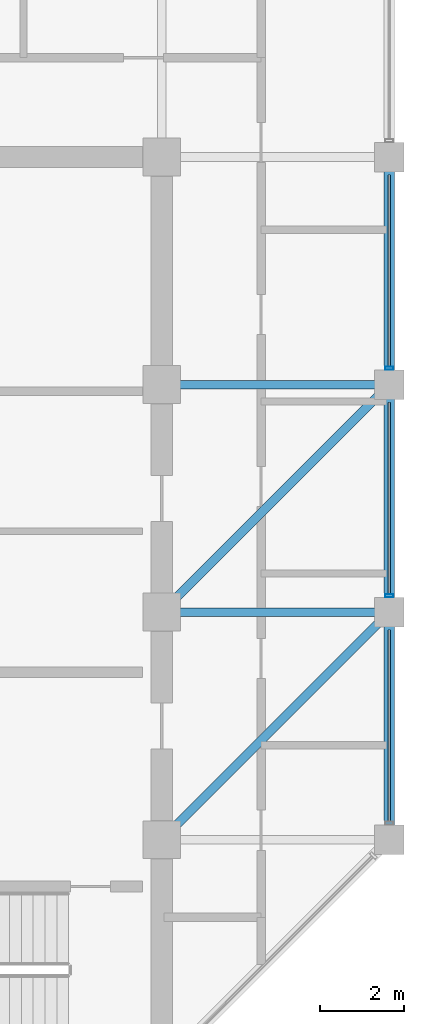
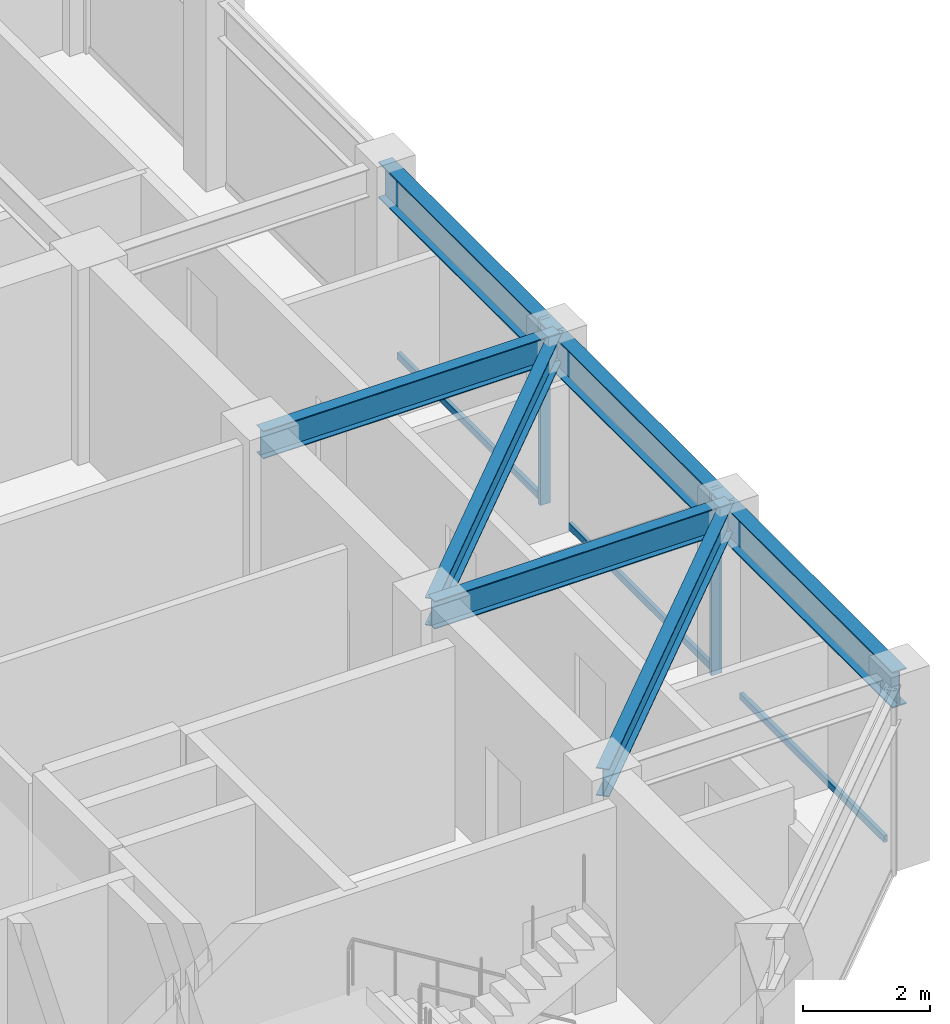
# One storey, part 13 of 31: 7 beams, 5 members, 1 element without a shape of its own.
"""IFC4 building model written with IfcOpenShell, lengths in metres."""

import ifcopenshell
import ifcopenshell.guid

model = None  # the IFC model being written
_history = None  # IfcOwnerHistory: only IFC2X3 demands one
_inside = {}  # id of a spatial element -> (the spatial element, [elements in it])
_under = {}  # id of a project, library or spatial element -> (it, [spatial elements below it])
_declared = {}  # id of a project -> (the project, [libraries it declares])
_typed = {}  # id of a type object -> (the type object, [elements of that type])
_made_of = {}  # id of a material, layer set ... -> (it, [elements and type objects made of it])


def new_model(schema):
    """Start an empty IFC model of exactly this schema.

    Asked for "IFC4X3", IfcOpenShell would pick the latest addendum, in which some entities
    have other attributes; the version numbers below select the first issue.
    IFC2X3 requires an IfcOwnerHistory on every rooted entity: one is made here for all.
    """
    global model, _history
    if schema == "IFC4X3":
        model = ifcopenshell.file(schema_version=(4, 3, 0, 0))
    else:
        model = ifcopenshell.file(schema=schema)
    _inside.clear()
    _under.clear()
    _declared.clear()
    _typed.clear()
    _made_of.clear()
    _history = None
    if model.schema == "IFC2X3":
        org = make("IfcOrganization", Name="unknown")
        user = make(
            "IfcPersonAndOrganization",
            ThePerson=make("IfcPerson", FamilyName="unknown"),
            TheOrganization=org,
        )
        app = make(
            "IfcApplication",
            ApplicationDeveloper=org,
            Version="unknown",
            ApplicationFullName="unknown",
            ApplicationIdentifier="unknown",
        )
        _history = make(
            "IfcOwnerHistory",
            OwningUser=user,
            OwningApplication=app,
            ChangeAction="ADDED",
            CreationDate=0,
        )
    return model


def make(cls, **values):
    """One entity of the class cls with the attributes given. An attribute that is None is left unset."""
    return model.create_entity(
        cls, **{name: value for name, value in values.items() if value is not None}
    )


def rooted(cls, **values):
    """An entity with a GlobalId (a new one), such as an element, a storey or a relation."""
    return make(cls, GlobalId=ifcopenshell.guid.new(), OwnerHistory=_history, **values)


def si_unit(unit_type, name, prefix=None):
    """IfcSIUnit, for example si_unit("LENGTHUNIT", "METRE", prefix="MILLI")."""
    return make("IfcSIUnit", UnitType=unit_type, Prefix=prefix, Name=name)


def assignment(units):
    """IfcUnitAssignment: the units of a project."""
    return None if units is None else make("IfcUnitAssignment", Units=units)


def point(xyz):
    """IfcCartesianPoint."""
    return None if xyz is None else make("IfcCartesianPoint", Coordinates=xyz)


def direction(xyz):
    """IfcDirection."""
    return None if xyz is None else make("IfcDirection", DirectionRatios=xyz)


def frame(location, z_axis=None, x_axis=None):
    """IfcAxis2Placement3D, a coordinate frame: its origin and axes. An axis left out is left unset."""
    return make(
        "IfcAxis2Placement3D",
        Location=point(location),
        Axis=direction(z_axis),
        RefDirection=direction(x_axis),
    )


def frame_2d(location, x_axis=None):
    """IfcAxis2Placement2D, a coordinate frame in the plane: its origin and x axis."""
    return make(
        "IfcAxis2Placement2D", Location=point(location), RefDirection=direction(x_axis)
    )


def origin():
    """The frame at (0, 0, 0) with its axes left unset."""
    return frame((0.0, 0.0, 0.0))


def origin_2d():
    """The frame at (0, 0) in the plane with its x axis left unset."""
    return frame_2d((0.0, 0.0))


def place(relative_to, where):
    """IfcLocalPlacement: puts the frame where relative to a parent placement (None: the world)."""
    return make(
        "IfcLocalPlacement", PlacementRelTo=relative_to, RelativePlacement=where
    )


def context(
    kind, dimensions, precision=None, world=None, true_north=None, identifier=None
):
    """IfcGeometricRepresentationContext, for example the 3D "Model" context."""
    return make(
        "IfcGeometricRepresentationContext",
        ContextIdentifier=identifier,
        ContextType=kind,
        CoordinateSpaceDimension=dimensions,
        Precision=precision,
        WorldCoordinateSystem=world,
        TrueNorth=true_north,
    )


def subcontext(parent, identifier, kind, view, scale=None):
    """IfcGeometricRepresentationSubContext, for example "Body" below "Model"."""
    return make(
        "IfcGeometricRepresentationSubContext",
        ContextIdentifier=identifier,
        ContextType=kind,
        ParentContext=parent,
        TargetScale=scale,
        TargetView=view,
    )


def project(units=None, contexts=None):
    """IfcProject with its units and contexts."""
    return rooted(
        "IfcProject",
        Name="project",
        RepresentationContexts=contexts,
        UnitsInContext=assignment(units),
    )


def spatial(cls, under=None, at=None, **own):
    """A site, building, storey or space (cls), placed at a placement, below another one or the project."""
    s = rooted(cls, ObjectPlacement=at, **own)
    if under is not None:
        _under.setdefault(under.id(), (under, []))[1].append(s)
    return s


def profile(cls, at=None, kind="AREA", **sizes):
    """A parametric profile (cls). Its sizes go by their IFC names, for example OverallWidth=200.0."""
    return make(cls, ProfileType=kind, Position=at, **sizes)


def hollow_rectangle(**sizes):
    """IfcRectangleHollowProfileDef."""
    return profile("IfcRectangleHollowProfileDef", **sizes)


def i_section(**sizes):
    """IfcIShapeProfileDef."""
    return profile("IfcIShapeProfileDef", **sizes)


def extrude(swept, where, along, depth):
    """IfcExtrudedAreaSolid: the profile swept, set in the frame where, extruded along a direction by depth."""
    return make(
        "IfcExtrudedAreaSolid",
        SweptArea=swept,
        Position=where,
        ExtrudedDirection=direction(along),
        Depth=depth,
    )


def shape(context_of_items, identifier, shape_type, items):
    """IfcShapeRepresentation: the items that make up one representation, for example the "Body"."""
    return make(
        "IfcShapeRepresentation",
        ContextOfItems=context_of_items,
        RepresentationIdentifier=identifier,
        RepresentationType=shape_type,
        Items=items,
    )


def material(Name=None, Category=None):
    """IfcMaterial."""
    return make("IfcMaterial", Name=Name, Category=Category)


def layer(
    of_material, thickness, ventilated=None, Name=None, Category=None, Priority=None
):
    """IfcMaterialLayer: one layer of a wall or slab, of a material (None: an air gap)."""
    return make(
        "IfcMaterialLayer",
        Material=of_material,
        LayerThickness=thickness,
        IsVentilated=ventilated,
        Name=Name,
        Category=Category,
        Priority=Priority,
    )


def layer_set(layers, Name=None):
    """IfcMaterialLayerSet."""
    return make("IfcMaterialLayerSet", MaterialLayers=layers, LayerSetName=Name)


def material_profile(
    of_material, cross_section, Name=None, Category=None, Priority=None
):
    """IfcMaterialProfile: a cross section and its material."""
    return make(
        "IfcMaterialProfile",
        Name=Name,
        Material=of_material,
        Profile=cross_section,
        Priority=Priority,
        Category=Category,
    )


def profile_set(profiles, Name=None, composite=None):
    """IfcMaterialProfileSet."""
    return make(
        "IfcMaterialProfileSet",
        Name=Name,
        MaterialProfiles=profiles,
        CompositeProfile=composite,
    )


def made_of(thing, what):
    """Note that an element or type object is made of a material, layer set ...; save() writes the relation."""
    if what is not None:
        _made_of.setdefault(what.id(), (what, []))[1].append(thing)
    return thing


def type_object(cls, material=None, **own):
    """A type object (cls), such as IfcWallType, which elements share."""
    return made_of(rooted(cls, **own), material)


def element(
    cls,
    number,
    at=None,
    inside=None,
    cuts=None,
    type_object=None,
    material=None,
    context=None,
    identifier="Body",
    shape_type=None,
    held_by="IfcProductDefinitionShape",
    body=None,
    shapes=None,
    **own,
):
    """One element of the class cls, such as IfcWall. Its Tag is "e" and its number.

    at: its placement. inside: the storey or other place that contains it. cuts: it is an
    opening in that element (IfcRelVoidsElement). A single representation is given by context,
    identifier, shape_type and body (its items); several are given by shapes. held_by: the class
    of the entity that holds the representations. save() writes the other relations.
    """
    e = rooted(cls, Tag="e%d" % number, ObjectPlacement=at, **own)
    if body is not None:
        shapes = [shape(context, identifier, shape_type, body)]
    if shapes is not None:
        e.Representation = make(held_by, Representations=shapes)
    if inside is not None:
        _inside.setdefault(inside.id(), (inside, []))[1].append(e)
    if cuts is not None:
        rooted(
            "IfcRelVoidsElement", RelatingBuildingElement=cuts, RelatedOpeningElement=e
        )
    if type_object is not None:
        _typed.setdefault(type_object.id(), (type_object, []))[1].append(e)
    return made_of(e, material)


def aggregate(whole, parts):
    """IfcRelAggregates: a whole, such as a stair, and the parts it consists of."""
    return rooted("IfcRelAggregates", RelatingObject=whole, RelatedObjects=parts)


def save(model, path):
    """Write the relations noted so far, then the file.

    IfcRelAggregates (storeys below a building ...), IfcRelContainedInSpatialStructure (elements
    in a storey), IfcRelDefinesByType, IfcRelAssociatesMaterial and IfcRelDeclares: one each for
    every whole, place, type object, material and project.
    """
    for whole, parts in _under.values():
        aggregate(whole, parts)
    for where, things in _inside.values():
        rooted(
            "IfcRelContainedInSpatialStructure",
            RelatedElements=things,
            RelatingStructure=where,
        )
    for kind, things in _typed.values():
        rooted("IfcRelDefinesByType", RelatedObjects=things, RelatingType=kind)
    for what, things in _made_of.values():
        rooted("IfcRelAssociatesMaterial", RelatedObjects=things, RelatingMaterial=what)
    for by, libraries in _declared.values():
        rooted("IfcRelDeclares", RelatingContext=by, RelatedDefinitions=libraries)
    model.write(path)


model = new_model("IFC4")

# Units and contexts
model_context = context("Model", 3, precision=1e-05, world=origin(), true_north=direction((0.0, 1.0)))
body_context = subcontext(model_context, "Body", "Model", "MODEL_VIEW")
ifc_project = project(units=[si_unit("LENGTHUNIT", "METRE"), si_unit("AREAUNIT", "SQUARE_METRE"), si_unit("VOLUMEUNIT", "CUBIC_METRE"), si_unit("PLANEANGLEUNIT", "RADIAN"), si_unit("MASSUNIT", "GRAM", prefix="KILO")], contexts=[model_context])

# Site, building, storey
site_placement = place(None, origin())
site = spatial("IfcSite", under=ifc_project, at=site_placement, CompositionType="ELEMENT")
building_placement = place(site_placement, origin())
building = spatial("IfcBuilding", under=site, at=building_placement, Name="Surkhivell Harbour Commons", CompositionType="ELEMENT")
storey_placement = place(building_placement, frame((0.0, 0.0, 330.0)))
storey = spatial("IfcBuildingStorey", under=building, at=storey_placement, Name="L86", CompositionType="ELEMENT", Elevation=330.0)

# Beams
ifc_material_1 = material(Name="Steel S355", Category="steel")
ifc_material_profile_1 = material_profile(ifc_material_1, i_section(OverallWidth=0.2099609375, OverallDepth=0.537109375, WebThickness=0.0107421875, FlangeThickness=0.017333984375, at=origin_2d()), Name="UB533x210x101")
ifc_profile_set_1 = profile_set([ifc_material_profile_1], Name="Steel S355")
beam_type_1 = type_object("IfcBeamType", Name="BM-GRD-533B", PredefinedType="BEAM", material=ifc_profile_set_1)
beam_1_placement = place(storey_placement, frame((10.800048828125, -5.39990234375, 3.301513671875), z_axis=(0.707106781187, 0.707106781187, 0.0), x_axis=(-0.707106781187, 0.707106781187, 0.0)))
element("IfcBeam", 1, at=beam_1_placement, inside=storey, type_object=beam_type_1, Name="L86 Floor Girder (10.8,-5.4)", PredefinedType="BEAM", context=body_context, shape_type="SweptSolid", body=[
    extrude(i_section(OverallWidth=0.2099609375, OverallDepth=0.537109375, WebThickness=0.0107421875, FlangeThickness=0.017333984375, at=origin_2d()), origin(), (0.0, 0.0, 1.0), 7.63671875),
])
beam_2_placement = place(storey_placement, frame((10.800048828125, 0.0, 3.301513671875), z_axis=(1.0, 0.0, 0.0), x_axis=(0.0, 1.0, 0.0)))
element("IfcBeam", 2, at=beam_2_placement, inside=storey, type_object=beam_type_1, Name="L86 Floor Girder (10.8,0.0)", PredefinedType="BEAM", context=body_context, shape_type="SweptSolid", body=[
    extrude(i_section(OverallWidth=0.2099609375, OverallDepth=0.537109375, WebThickness=0.0107421875, FlangeThickness=0.017333984375, at=origin_2d()), origin(), (0.0, 0.0, 1.0), 5.39990234375),
])
beam_3_placement = place(storey_placement, frame((10.800048828125, 0.0, 3.301513671875), z_axis=(0.707106781187, 0.707106781187, 0.0), x_axis=(-0.707106781187, 0.707106781187, 0.0)))
element("IfcBeam", 3, at=beam_3_placement, inside=storey, type_object=beam_type_1, Name="L86 Floor Girder (10.8,0.0)", PredefinedType="BEAM", context=body_context, shape_type="SweptSolid", body=[
    extrude(i_section(OverallWidth=0.2099609375, OverallDepth=0.537109375, WebThickness=0.0107421875, FlangeThickness=0.017333984375, at=origin_2d()), origin(), (0.0, 0.0, 1.0), 7.63671875),
])
beam_4_placement = place(storey_placement, frame((10.800048828125, 5.39990234375, 3.301513671875), z_axis=(1.0, 0.0, 0.0), x_axis=(0.0, 1.0, 0.0)))
element("IfcBeam", 4, at=beam_4_placement, inside=storey, type_object=beam_type_1, Name="L86 Floor Girder (10.8,5.4)", PredefinedType="BEAM", context=body_context, shape_type="SweptSolid", body=[
    extrude(i_section(OverallWidth=0.2099609375, OverallDepth=0.537109375, WebThickness=0.0107421875, FlangeThickness=0.017333984375, at=origin_2d()), origin(), (0.0, 0.0, 1.0), 5.39990234375),
])
ifc_material_profile_2 = material_profile(ifc_material_1, i_section(OverallWidth=0.256103515625, OverallDepth=0.693115234375, WebThickness=0.014404296875, FlangeThickness=0.023681640625, at=origin_2d()), Name="UB686x254x170")
ifc_profile_set_2 = profile_set([ifc_material_profile_2], Name="Steel S355")
beam_type_2 = type_object("IfcBeamType", Name="BM-SPN-686", PredefinedType="SPANDREL", material=ifc_profile_set_2)
for number, where, z_axis, x_axis, name in (
    (5, (16.199951171875, -5.39990234375, 3.223388671875), (0.0, 1.0, 0.0), (-1.0, 0.0, 0.0), "L86 Tube Spandrel (16.2,-5.4)"),
    (6, (16.199951171875, 0.0, 3.223388671875), (0.0, 1.0, 0.0), (-1.0, 0.0, 0.0), "L86 Tube Spandrel (16.2,0.0)"),
):
    element("IfcBeam", number, at=place(storey_placement, frame(where, z_axis=z_axis, x_axis=x_axis)), inside=storey, type_object=beam_type_2, Name=name, PredefinedType="SPANDREL", context=body_context, shape_type="SweptSolid", body=[
        extrude(i_section(OverallWidth=0.256103515625, OverallDepth=0.693115234375, WebThickness=0.014404296875, FlangeThickness=0.023681640625, at=origin_2d()), origin(), (0.0, 0.0, 1.0), 5.39990234375),
    ])
beam_5_placement = place(storey_placement, frame((16.199951171875, 5.39990234375, 3.223388671875), z_axis=(0.0, 1.0, 0.0), x_axis=(-1.0, 0.0, 0.0)))
element("IfcBeam", 7, at=beam_5_placement, inside=storey, type_object=beam_type_2, Name="L86 Tube Spandrel (16.2,5.4)", PredefinedType="SPANDREL", context=body_context, shape_type="SweptSolid", body=[
    extrude(i_section(OverallWidth=0.256103515625, OverallDepth=0.693115234375, WebThickness=0.014404296875, FlangeThickness=0.023681640625, at=origin_2d()), origin(), (0.0, 0.0, 1.0), 5.400146484375),
])

# Curtain wall, members
ifc_material_2 = material(Name="Anodised pale-metal aluminium and insulated glazing", Category="aluminium")
ifc_layer = layer(ifc_material_2, 0.175048828125)
ifc_layer_set = layer_set([ifc_layer], Name="Anodised pale-metal aluminium and insulated glazing")
curtain_wall_type = type_object("IfcCurtainWallType", Name="CW-SYS-Z4", PredefinedType="NOTDEFINED", material=ifc_layer_set)
curtain_wall_placement = place(storey_placement, origin())
curtain_wall = element("IfcCurtainWall", 8, at=curtain_wall_placement, inside=storey, type_object=curtain_wall_type, Name="L86 Curtain Wall CW-L86-E02", PredefinedType="NOTDEFINED")
ifc_material_3 = material(Name="Anodised pale-metal aluminium alloy 6063-T6", Category="aluminium")
ifc_material_profile_3 = material_profile(ifc_material_3, hollow_rectangle(XDim=0.074951171875, YDim=0.18994140625, WallThickness=0.00390625, at=origin_2d()), Name="ALU-MULL-75x190")
ifc_profile_set_3 = profile_set([ifc_material_profile_3], Name="Anodised pale-metal aluminium alloy 6063-T6")
member_type_1 = type_object("IfcMemberType", Name="CWM-190", PredefinedType="MULLION", material=ifc_profile_set_3)
member_1_placement = place(storey_placement, frame((16.199951171875, 0.389404296875, 0.0), z_axis=(0.0, 0.0, 1.0), x_axis=(0.0, 1.0, 0.0)))
member_1 = element("IfcMember", 9, at=member_1_placement, type_object=member_type_1, Name="CW-Z4 mullion 2", PredefinedType="MULLION", context=body_context, shape_type="SweptSolid", body=[
    extrude(hollow_rectangle(XDim=0.074951171875, YDim=0.18994140625, WallThickness=0.00390625, at=origin_2d()), origin(), (0.0, 0.0, 1.0), 3.570068359375),
])
member_2_placement = place(storey_placement, frame((16.199951171875, 5.78955078125, 0.0), z_axis=(0.0, 0.0, 1.0), x_axis=(0.0, 1.0, 0.0)))
member_2 = element("IfcMember", 10, at=member_2_placement, type_object=member_type_1, Name="CW-Z4 mullion 3", PredefinedType="MULLION", context=body_context, shape_type="SweptSolid", body=[
    extrude(hollow_rectangle(XDim=0.074951171875, YDim=0.18994140625, WallThickness=0.00390625, at=origin_2d()), origin(), (0.0, 0.0, 1.0), 3.570068359375),
])
ifc_material_4 = material(Name="Champagne anodised aluminium alloy 6063-T6", Category="aluminium")
ifc_material_profile_4 = material_profile(ifc_material_4, hollow_rectangle(XDim=0.070068359375, YDim=0.1298828125, WallThickness=0.00341796875, at=origin_2d()), Name="ALU-TRAN-70x130")
ifc_profile_set_4 = profile_set([ifc_material_profile_4], Name="Champagne anodised aluminium alloy 6063-T6")
member_type_2 = type_object("IfcMemberType", Name="CWT-130", PredefinedType="USERDEFINED", material=ifc_profile_set_4)
member_3_placement = place(storey_placement, frame((16.199951171875, -4.972900390625, 0.06494140625), z_axis=(0.0, 1.0, 0.0), x_axis=(-1.0, 0.0, 0.0)))
member_3 = element("IfcMember", 11, at=member_3_placement, type_object=member_type_2, Name="CW-Z4 transom 1.1", ObjectType="TRANSOM", PredefinedType="USERDEFINED", context=body_context, shape_type="SweptSolid", body=[
    extrude(hollow_rectangle(XDim=0.070068359375, YDim=0.1298828125, WallThickness=0.00341796875, at=origin_2d()), origin(), (0.0, 0.0, 1.0), 4.5458984375),
])
member_4_placement = place(storey_placement, frame((16.199951171875, 0.427001953125, 0.06494140625), z_axis=(0.0, 1.0, 0.0), x_axis=(-1.0, 0.0, 0.0)))
member_4 = element("IfcMember", 12, at=member_4_placement, type_object=member_type_2, Name="CW-Z4 transom 2.1", ObjectType="TRANSOM", PredefinedType="USERDEFINED", context=body_context, shape_type="SweptSolid", body=[
    extrude(hollow_rectangle(XDim=0.070068359375, YDim=0.1298828125, WallThickness=0.00341796875, at=origin_2d()), origin(), (0.0, 0.0, 1.0), 4.5458984375),
])
member_5_placement = place(storey_placement, frame((16.199951171875, 5.826904296875, 0.06494140625), z_axis=(0.0, 1.0, 0.0), x_axis=(-1.0, 0.0, 0.0)))
member_5 = element("IfcMember", 13, at=member_5_placement, type_object=member_type_2, Name="CW-Z4 transom 3.1", ObjectType="TRANSOM", PredefinedType="USERDEFINED", context=body_context, shape_type="SweptSolid", body=[
    extrude(hollow_rectangle(XDim=0.070068359375, YDim=0.1298828125, WallThickness=0.00341796875, at=origin_2d()), origin(), (0.0, 0.0, 1.0), 4.546142578125),
])
aggregate(curtain_wall, [member_3, member_1, member_4, member_2, member_5])

save(model, "model.ifc")
